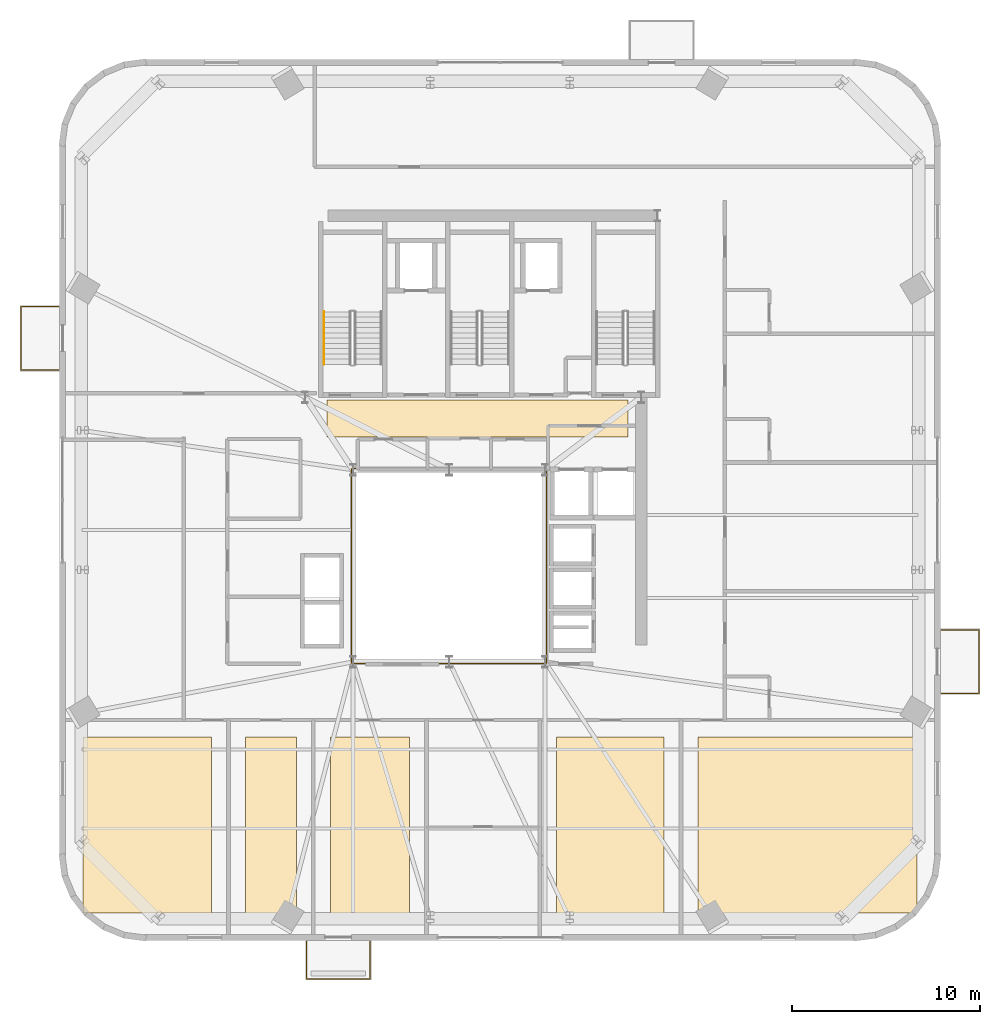
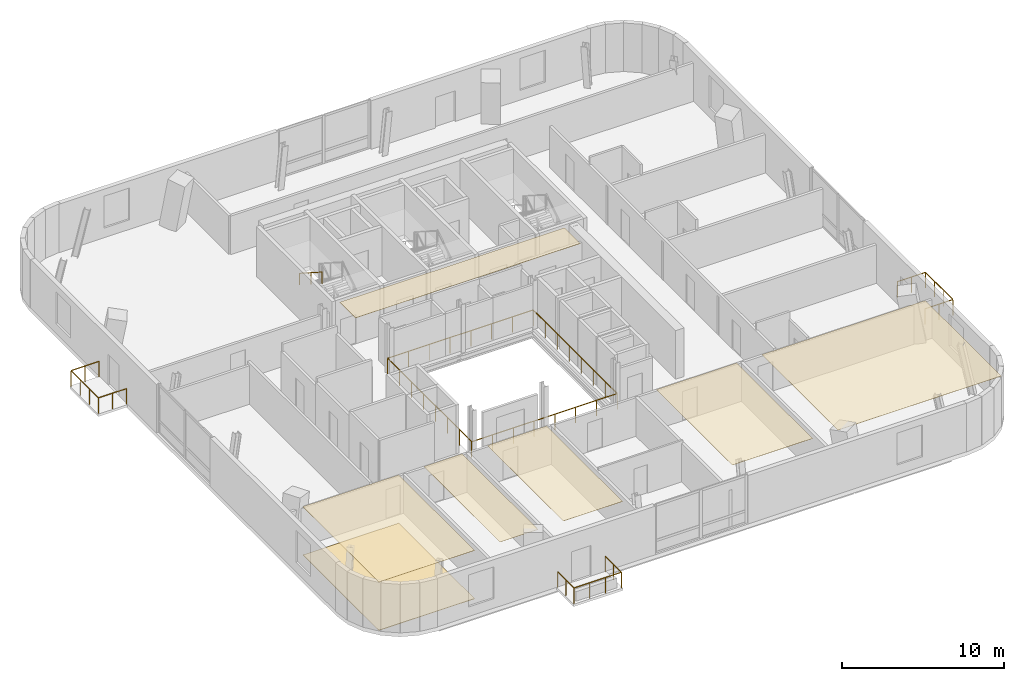
# One storey, part 11 of 12: 7 coverings, 5 railings.
"""IFC4 building model written with IfcOpenShell, lengths in metres."""

from ifc_helpers import new_model, si_unit, direction, frame, origin, origin_2d, place, context, subcontext, project, spatial, polyline, rectangle, outline, extrude, source, transform, mapped, material, layer, layer_set, type_object, element, save


model = new_model("IFC4")

# Units and contexts
model_context = context("Model", 3, precision=1e-05, world=origin(), true_north=direction((0.0, 1.0)))
body_context = subcontext(model_context, "Body", "Model", "MODEL_VIEW")
ifc_project = project(units=[si_unit("LENGTHUNIT", "METRE"), si_unit("AREAUNIT", "SQUARE_METRE"), si_unit("VOLUMEUNIT", "CUBIC_METRE"), si_unit("PLANEANGLEUNIT", "RADIAN"), si_unit("MASSUNIT", "GRAM", prefix="KILO")], contexts=[model_context])

# Site, building, storey
site_placement = place(None, origin())
site = spatial("IfcSite", under=ifc_project, at=site_placement, CompositionType="ELEMENT")
building_placement = place(site_placement, origin())
building = spatial("IfcBuilding", under=site, at=building_placement, Name="Vardaveli Station Tower", CompositionType="ELEMENT")
storey_placement = place(building_placement, frame((0.0, 0.0, 254.550048828125)))
storey = spatial("IfcBuildingStorey", under=building, at=storey_placement, Name="L65", CompositionType="ELEMENT", Elevation=254.550048828125)

# Coverings
ifc_material_1 = material(Name="Perforated acoustic mineral ceiling")
ifc_layer_1 = layer(ifc_material_1, 0.02001953125, Name="Perforated acoustic mineral ceiling")
ifc_layer_set_1 = layer_set([ifc_layer_1], Name="Perforated acoustic mineral ceiling")
covering_type_1 = type_object("IfcCoveringType", Name="COV-CEIL-AC20", PredefinedType="CEILING", material=ifc_layer_set_1)
covering_1_placement = place(storey_placement, frame((0.0, 0.0, 3.635009765625)))
element("IfcCovering", 1, at=covering_1_placement, inside=storey, type_object=covering_type_1, Name="CEIL-L65-1", PredefinedType="CEILING", context=body_context, shape_type="SweptSolid", body=[
    extrude(outline(polyline([(16.85009765625, 3.25), (23.669921875, 3.25), (23.669921875, 12.610107421875), (16.85009765625, 12.610107421875), (16.85009765625, 3.25)])), origin(), (0.0, 0.0, 1.0), 0.02001953125),
])
covering_2_placement = place(storey_placement, frame((0.0, 0.0, 3.635009765625)))
element("IfcCovering", 2, at=covering_2_placement, inside=storey, type_object=covering_type_1, Name="CEIL-L65-2", PredefinedType="CEILING", context=body_context, shape_type="SweptSolid", body=[
    extrude(outline(polyline([(25.469970703125, 3.25), (28.1826171875, 3.25), (28.1826171875, 12.610107421875), (25.469970703125, 12.610107421875), (25.469970703125, 3.25)])), origin(), (0.0, 0.0, 1.0), 0.02001953125),
])
covering_3_placement = place(storey_placement, frame((0.0, 0.0, 3.635009765625)))
element("IfcCovering", 3, at=covering_3_placement, inside=storey, type_object=covering_type_1, Name="CEIL-L65-3", PredefinedType="CEILING", context=body_context, shape_type="SweptSolid", body=[
    extrude(outline(polyline([(29.982421875, 3.25), (34.195068359375, 3.25), (34.195068359375, 12.610107421875), (29.982421875, 12.610107421875), (29.982421875, 3.25)])), origin(), (0.0, 0.0, 1.0), 0.02001953125),
])
covering_4_placement = place(storey_placement, frame((0.0, 0.0, 3.635009765625)))
element("IfcCovering", 4, at=covering_4_placement, inside=storey, type_object=covering_type_1, Name="CEIL-L65-4", PredefinedType="CEILING", context=body_context, shape_type="SweptSolid", body=[
    extrude(outline(polyline([(42.007568359375, 3.25), (47.719970703125, 3.25), (47.719970703125, 12.610107421875), (42.007568359375, 12.610107421875), (42.007568359375, 3.25)])), origin(), (0.0, 0.0, 1.0), 0.02001953125),
])
covering_5_placement = place(storey_placement, frame((0.0, 0.0, 3.635009765625)))
element("IfcCovering", 5, at=covering_5_placement, inside=storey, type_object=covering_type_1, Name="CEIL-L65-5", PredefinedType="CEILING", context=body_context, shape_type="SweptSolid", body=[
    extrude(outline(polyline([(49.52001953125, 3.25), (61.14990234375, 3.25), (61.14990234375, 12.610107421875), (49.52001953125, 12.610107421875), (49.52001953125, 3.25)])), origin(), (0.0, 0.0, 1.0), 0.02001953125),
])
covering_6_placement = place(storey_placement, frame((0.0, 0.0, 3.635009765625)))
element("IfcCovering", 6, at=covering_6_placement, inside=storey, type_object=covering_type_1, Name="CEIL-L65-6", PredefinedType="CEILING", context=body_context, shape_type="SweptSolid", body=[
    extrude(outline(polyline([(29.800048828125, 28.550048828125), (45.800048828125, 28.550048828125), (45.800048828125, 30.5), (29.800048828125, 30.5), (29.800048828125, 28.550048828125)])), origin(), (0.0, 0.0, 1.0), 0.02001953125),
])
ifc_material_2 = material(Name="Honed Caucasian basalt and travertine flooring", Category="masonry")
ifc_layer_2 = layer(ifc_material_2, 0.030029296875, Name="Honed Caucasian basalt and travertine flooring")
ifc_layer_set_2 = layer_set([ifc_layer_2], Name="Honed Caucasian basalt and travertine flooring")
covering_type_2 = type_object("IfcCoveringType", Name="COV-FLOOR-ST30", PredefinedType="FLOORING", material=ifc_layer_set_2)
covering_7_placement = place(storey_placement, origin())
element("IfcCovering", 7, at=covering_7_placement, inside=storey, type_object=covering_type_2, Name="FLR-L65-1", PredefinedType="FLOORING", context=body_context, shape_type="SweptSolid", body=[
    extrude(outline(polyline([(16.85009765625, 3.25), (23.669921875, 3.25), (23.669921875, 12.610107421875), (16.85009765625, 12.610107421875), (16.85009765625, 3.25)])), origin(), (0.0, 0.0, 1.0), 0.030029296875),
])

# Railings
ifc_material_3 = material(Name="Laminated glass and stainless steel balustrade", Category="steel")
railing_type_1 = type_object("IfcRailingType", Name="RL-BAL-1200", PredefinedType="BALUSTRADE", material=ifc_material_3)
shared_shape_1 = source(origin(), body_context, "Body", "SweptSolid", [
    extrude(rectangle(XDim=0.048095703125, YDim=0.048095703125, at=origin_2d()), frame((0.0, 0.0, 1.17578125), z_axis=(0.0, -1.0, 0.0), x_axis=(1.0, 0.0, 0.0)), (0.0, 0.0, 1.0), 2.0),
    extrude(rectangle(XDim=0.048095703125, YDim=0.048095703125, at=origin_2d()), frame((0.0, -2.0, 1.17578125), z_axis=(1.0, 0.0, 0.0), x_axis=(0.0, 1.0, 0.0)), (0.0, 0.0, 1.0), 3.3798828125),
    extrude(rectangle(XDim=0.048095703125, YDim=0.048095703125, at=origin_2d()), frame((3.3798828125, -2.0, 1.17578125), z_axis=(0.0, 1.0, 0.0), x_axis=(-1.0, 0.0, 0.0)), (0.0, 0.0, 1.0), 2.0),
    extrude(rectangle(XDim=0.0419921875, YDim=0.0419921875, at=origin_2d()), origin(), (0.0, 0.0, 1.0), 1.15185546875),
    extrude(rectangle(XDim=0.0419921875, YDim=0.0419921875, at=origin_2d()), frame((0.0, -1.0, 0.0)), (0.0, 0.0, 1.0), 1.15185546875),
    extrude(rectangle(XDim=0.0419921875, YDim=0.0419921875, at=origin_2d()), frame((0.0, -2.0, 0.0)), (0.0, 0.0, 1.0), 1.15185546875),
    extrude(rectangle(XDim=0.0419921875, YDim=0.0419921875, at=origin_2d()), frame((1.126708984375, -2.0, 0.0)), (0.0, 0.0, 1.0), 1.15185546875),
    extrude(rectangle(XDim=0.0419921875, YDim=0.0419921875, at=origin_2d()), frame((2.253173828125, -2.0, 0.0)), (0.0, 0.0, 1.0), 1.15185546875),
    extrude(rectangle(XDim=0.0419921875, YDim=0.0419921875, at=origin_2d()), frame((3.3798828125, -2.0, 0.0)), (0.0, 0.0, 1.0), 1.15185546875),
    extrude(rectangle(XDim=0.0419921875, YDim=0.0419921875, at=origin_2d()), frame((3.3798828125, -1.0, 0.0)), (0.0, 0.0, 1.0), 1.15185546875),
    extrude(rectangle(XDim=0.0419921875, YDim=0.0419921875, at=origin_2d()), frame((3.3798828125, 0.0, 0.0)), (0.0, 0.0, 1.0), 1.15185546875),
])
railing_1_placement = place(storey_placement, frame((28.720458984375, 1.760009765625, 0.0)))
element("IfcRailing", 8, at=railing_1_placement, inside=storey, type_object=railing_type_1, Name="RL-LOG-L65-01", PredefinedType="BALUSTRADE", context=body_context, shape_type="MappedRepresentation", body=[
    mapped(shared_shape_1, transform((0.0, 0.0, 0.0), scale=1.0)),
])
shared_shape_2 = source(origin(), body_context, "Body", "SweptSolid", [
    extrude(rectangle(XDim=0.048095703125, YDim=0.048095703125, at=origin_2d()), frame((0.0, 0.0, 1.17578125), z_axis=(1.0, 0.0, 0.0), x_axis=(0.0, 1.0, 0.0)), (0.0, 0.0, 1.0), 2.0),
    extrude(rectangle(XDim=0.048095703125, YDim=0.048095703125, at=origin_2d()), frame((2.0, 0.0, 1.17578125), z_axis=(0.0, 1.0, 0.0), x_axis=(-1.0, 0.0, 0.0)), (0.0, 0.0, 1.0), 3.3798828125),
    extrude(rectangle(XDim=0.048095703125, YDim=0.048095703125, at=origin_2d()), frame((2.0, 3.3798828125, 1.17578125), z_axis=(-1.0, 0.0, 0.0), x_axis=(0.0, -1.0, 0.0)), (0.0, 0.0, 1.0), 2.0),
    extrude(rectangle(XDim=0.0419921875, YDim=0.0419921875, at=origin_2d()), origin(), (0.0, 0.0, 1.0), 1.15185546875),
    extrude(rectangle(XDim=0.0419921875, YDim=0.0419921875, at=origin_2d()), frame((1.0, 0.0, 0.0)), (0.0, 0.0, 1.0), 1.15185546875),
    extrude(rectangle(XDim=0.0419921875, YDim=0.0419921875, at=origin_2d()), frame((2.0, 0.0, 0.0)), (0.0, 0.0, 1.0), 1.15185546875),
    extrude(rectangle(XDim=0.0419921875, YDim=0.0419921875, at=origin_2d()), frame((2.0, 1.126708984375, 0.0)), (0.0, 0.0, 1.0), 1.15185546875),
    extrude(rectangle(XDim=0.0419921875, YDim=0.0419921875, at=origin_2d()), frame((2.0, 2.253173828125, 0.0)), (0.0, 0.0, 1.0), 1.15185546875),
    extrude(rectangle(XDim=0.0419921875, YDim=0.0419921875, at=origin_2d()), frame((2.0, 3.3798828125, 0.0)), (0.0, 0.0, 1.0), 1.15185546875),
    extrude(rectangle(XDim=0.0419921875, YDim=0.0419921875, at=origin_2d()), frame((1.0, 3.3798828125, 0.0)), (0.0, 0.0, 1.0), 1.15185546875),
    extrude(rectangle(XDim=0.0419921875, YDim=0.0419921875, at=origin_2d()), frame((0.0, 3.3798828125, 0.0)), (0.0, 0.0, 1.0), 1.15185546875),
])
railing_2_placement = place(storey_placement, frame((62.43994140625, 14.92041015625, 0.0)))
element("IfcRailing", 9, at=railing_2_placement, inside=storey, type_object=railing_type_1, Name="RL-LOG-L65-04", PredefinedType="BALUSTRADE", context=body_context, shape_type="MappedRepresentation", body=[
    mapped(shared_shape_2, transform((0.0, 0.0, 0.0), scale=1.0)),
])
shared_shape_3 = source(origin(), body_context, "Body", "SweptSolid", [
    extrude(rectangle(XDim=0.048095703125, YDim=0.048095703125, at=origin_2d()), frame((0.0, 0.0, 1.17578125), z_axis=(-1.0, 0.0, 0.0), x_axis=(0.0, -1.0, 0.0)), (0.0, 0.0, 1.0), 2.0),
    extrude(rectangle(XDim=0.048095703125, YDim=0.048095703125, at=origin_2d()), frame((-2.0, 0.0, 1.17578125), z_axis=(0.0, 1.0, 0.0), x_axis=(-1.0, 0.0, 0.0)), (0.0, 0.0, 1.0), 3.3798828125),
    extrude(rectangle(XDim=0.048095703125, YDim=0.048095703125, at=origin_2d()), frame((-2.0, 3.3798828125, 1.17578125), z_axis=(1.0, 0.0, 0.0), x_axis=(0.0, 1.0, 0.0)), (0.0, 0.0, 1.0), 2.0),
    extrude(rectangle(XDim=0.0419921875, YDim=0.0419921875, at=origin_2d()), origin(), (0.0, 0.0, 1.0), 1.15185546875),
    extrude(rectangle(XDim=0.0419921875, YDim=0.0419921875, at=origin_2d()), frame((-1.0, 0.0, 0.0)), (0.0, 0.0, 1.0), 1.15185546875),
    extrude(rectangle(XDim=0.0419921875, YDim=0.0419921875, at=origin_2d()), frame((-2.0, 0.0, 0.0)), (0.0, 0.0, 1.0), 1.15185546875),
    extrude(rectangle(XDim=0.0419921875, YDim=0.0419921875, at=origin_2d()), frame((-2.0, 1.126708984375, 0.0)), (0.0, 0.0, 1.0), 1.15185546875),
    extrude(rectangle(XDim=0.0419921875, YDim=0.0419921875, at=origin_2d()), frame((-2.0, 2.253173828125, 0.0)), (0.0, 0.0, 1.0), 1.15185546875),
    extrude(rectangle(XDim=0.0419921875, YDim=0.0419921875, at=origin_2d()), frame((-2.0, 3.3798828125, 0.0)), (0.0, 0.0, 1.0), 1.15185546875),
    extrude(rectangle(XDim=0.0419921875, YDim=0.0419921875, at=origin_2d()), frame((-1.0, 3.3798828125, 0.0)), (0.0, 0.0, 1.0), 1.15185546875),
    extrude(rectangle(XDim=0.0419921875, YDim=0.0419921875, at=origin_2d()), frame((0.0, 3.3798828125, 0.0)), (0.0, 0.0, 1.0), 1.15185546875),
])
railing_3_placement = place(storey_placement, frame((15.56005859375, 32.099609375, 0.0)))
element("IfcRailing", 10, at=railing_3_placement, inside=storey, type_object=railing_type_1, Name="RL-LOG-L65-03", PredefinedType="BALUSTRADE", context=body_context, shape_type="MappedRepresentation", body=[
    mapped(shared_shape_3, transform((0.0, 0.0, 0.0), scale=1.0)),
])
ifc_material_4 = material(Name="Brushed AISI 316 stainless steel", Category="steel")
railing_type_2 = type_object("IfcRailingType", Name="RL-HAND-900", PredefinedType="HANDRAIL", material=ifc_material_4)
shared_shape_4 = source(origin(), body_context, "Body", "SweptSolid", [
    extrude(rectangle(XDim=0.048095703125, YDim=0.048095703125, at=origin_2d()), frame((0.0, 0.0, 0.8759765625), z_axis=(0.0, -0.841809871826, 0.539774156196), x_axis=(1.0, 0.0, 0.0)), (0.0, 0.0, 1.0), 3.326171875),
    extrude(rectangle(XDim=0.0419921875, YDim=0.0419921875, at=origin_2d()), origin(), (0.0, 0.0, 1.0), 0.851806640625),
    extrude(rectangle(XDim=0.0419921875, YDim=0.0419921875, at=origin_2d()), frame((0.0, -1.39990234375, 0.897705078125)), (0.0, 0.0, 1.0), 0.851806640625),
    extrude(rectangle(XDim=0.0419921875, YDim=0.0419921875, at=origin_2d()), frame((0.0, -2.800048828125, 1.79541015625)), (0.0, 0.0, 1.0), 0.851806640625),
])
railing_4_placement = place(storey_placement, frame((29.64990234375, 35.199951171875, 2.154541015625)))
element("IfcRailing", 11, at=railing_4_placement, inside=storey, type_object=railing_type_2, Name="L65 ST-1 stair handrail 2", PredefinedType="HANDRAIL", context=body_context, shape_type="MappedRepresentation", body=[
    mapped(shared_shape_4, transform((0.0, 0.0, 0.0), scale=1.0)),
])
shared_shape_5 = source(origin(), body_context, "Body", "SweptSolid", [
    extrude(rectangle(XDim=0.048095703125, YDim=0.048095703125, at=origin_2d()), frame((0.0, 0.0, 1.17578125), z_axis=(1.0, 0.0, 0.0), x_axis=(0.0, 1.0, 0.0)), (0.0, 0.0, 1.0), 10.35986328125),
    extrude(rectangle(XDim=0.048095703125, YDim=0.048095703125, at=origin_2d()), frame((10.35986328125, 0.0, 1.17578125), z_axis=(0.0, 1.0, 0.0), x_axis=(-1.0, 0.0, 0.0)), (0.0, 0.0, 1.0), 10.35986328125),
    extrude(rectangle(XDim=0.048095703125, YDim=0.048095703125, at=origin_2d()), frame((10.35986328125, 10.35986328125, 1.17578125), z_axis=(-1.0, 0.0, 0.0), x_axis=(0.0, -1.0, 0.0)), (0.0, 0.0, 1.0), 10.35986328125),
    extrude(rectangle(XDim=0.048095703125, YDim=0.048095703125, at=origin_2d()), frame((0.0, 10.35986328125, 1.17578125), z_axis=(0.0, -1.0, 0.0), x_axis=(1.0, 0.0, 0.0)), (0.0, 0.0, 1.0), 10.35986328125),
    extrude(rectangle(XDim=0.0419921875, YDim=0.0419921875, at=origin_2d()), origin(), (0.0, 0.0, 1.0), 1.15185546875),
    extrude(rectangle(XDim=0.0419921875, YDim=0.0419921875, at=origin_2d()), frame((1.47998046875, 0.0, 0.0)), (0.0, 0.0, 1.0), 1.15185546875),
    extrude(rectangle(XDim=0.0419921875, YDim=0.0419921875, at=origin_2d()), frame((2.9599609375, 0.0, 0.0)), (0.0, 0.0, 1.0), 1.15185546875),
    extrude(rectangle(XDim=0.0419921875, YDim=0.0419921875, at=origin_2d()), frame((4.43994140625, 0.0, 0.0)), (0.0, 0.0, 1.0), 1.15185546875),
    extrude(rectangle(XDim=0.0419921875, YDim=0.0419921875, at=origin_2d()), frame((5.919921875, 0.0, 0.0)), (0.0, 0.0, 1.0), 1.15185546875),
    extrude(rectangle(XDim=0.0419921875, YDim=0.0419921875, at=origin_2d()), frame((7.39990234375, 0.0, 0.0)), (0.0, 0.0, 1.0), 1.15185546875),
    extrude(rectangle(XDim=0.0419921875, YDim=0.0419921875, at=origin_2d()), frame((8.8798828125, 0.0, 0.0)), (0.0, 0.0, 1.0), 1.15185546875),
    extrude(rectangle(XDim=0.0419921875, YDim=0.0419921875, at=origin_2d()), frame((10.35986328125, 0.0, 0.0)), (0.0, 0.0, 1.0), 1.15185546875),
    extrude(rectangle(XDim=0.0419921875, YDim=0.0419921875, at=origin_2d()), frame((10.35986328125, 1.47998046875, 0.0)), (0.0, 0.0, 1.0), 1.15185546875),
    extrude(rectangle(XDim=0.0419921875, YDim=0.0419921875, at=origin_2d()), frame((10.35986328125, 2.9599609375, 0.0)), (0.0, 0.0, 1.0), 1.15185546875),
    extrude(rectangle(XDim=0.0419921875, YDim=0.0419921875, at=origin_2d()), frame((10.35986328125, 4.43994140625, 0.0)), (0.0, 0.0, 1.0), 1.15185546875),
    extrude(rectangle(XDim=0.0419921875, YDim=0.0419921875, at=origin_2d()), frame((10.35986328125, 5.919921875, 0.0)), (0.0, 0.0, 1.0), 1.15185546875),
    extrude(rectangle(XDim=0.0419921875, YDim=0.0419921875, at=origin_2d()), frame((10.35986328125, 7.39990234375, 0.0)), (0.0, 0.0, 1.0), 1.15185546875),
    extrude(rectangle(XDim=0.0419921875, YDim=0.0419921875, at=origin_2d()), frame((10.35986328125, 8.8798828125, 0.0)), (0.0, 0.0, 1.0), 1.15185546875),
    extrude(rectangle(XDim=0.0419921875, YDim=0.0419921875, at=origin_2d()), frame((10.35986328125, 10.35986328125, 0.0)), (0.0, 0.0, 1.0), 1.15185546875),
    extrude(rectangle(XDim=0.0419921875, YDim=0.0419921875, at=origin_2d()), frame((8.8798828125, 10.35986328125, 0.0)), (0.0, 0.0, 1.0), 1.15185546875),
    extrude(rectangle(XDim=0.0419921875, YDim=0.0419921875, at=origin_2d()), frame((7.39990234375, 10.35986328125, 0.0)), (0.0, 0.0, 1.0), 1.15185546875),
    extrude(rectangle(XDim=0.0419921875, YDim=0.0419921875, at=origin_2d()), frame((5.919921875, 10.35986328125, 0.0)), (0.0, 0.0, 1.0), 1.15185546875),
    extrude(rectangle(XDim=0.0419921875, YDim=0.0419921875, at=origin_2d()), frame((4.43994140625, 10.35986328125, 0.0)), (0.0, 0.0, 1.0), 1.15185546875),
    extrude(rectangle(XDim=0.0419921875, YDim=0.0419921875, at=origin_2d()), frame((2.9599609375, 10.35986328125, 0.0)), (0.0, 0.0, 1.0), 1.15185546875),
    extrude(rectangle(XDim=0.0419921875, YDim=0.0419921875, at=origin_2d()), frame((1.47998046875, 10.35986328125, 0.0)), (0.0, 0.0, 1.0), 1.15185546875),
    extrude(rectangle(XDim=0.0419921875, YDim=0.0419921875, at=origin_2d()), frame((0.0, 10.35986328125, 0.0)), (0.0, 0.0, 1.0), 1.15185546875),
    extrude(rectangle(XDim=0.0419921875, YDim=0.0419921875, at=origin_2d()), frame((0.0, 8.8798828125, 0.0)), (0.0, 0.0, 1.0), 1.15185546875),
    extrude(rectangle(XDim=0.0419921875, YDim=0.0419921875, at=origin_2d()), frame((0.0, 7.39990234375, 0.0)), (0.0, 0.0, 1.0), 1.15185546875),
    extrude(rectangle(XDim=0.0419921875, YDim=0.0419921875, at=origin_2d()), frame((0.0, 5.919921875, 0.0)), (0.0, 0.0, 1.0), 1.15185546875),
    extrude(rectangle(XDim=0.0419921875, YDim=0.0419921875, at=origin_2d()), frame((0.0, 4.43994140625, 0.0)), (0.0, 0.0, 1.0), 1.15185546875),
    extrude(rectangle(XDim=0.0419921875, YDim=0.0419921875, at=origin_2d()), frame((0.0, 2.9599609375, 0.0)), (0.0, 0.0, 1.0), 1.15185546875),
    extrude(rectangle(XDim=0.0419921875, YDim=0.0419921875, at=origin_2d()), frame((0.0, 1.47998046875, 0.0)), (0.0, 0.0, 1.0), 1.15185546875),
])
railing_5_placement = place(storey_placement, frame((31.1201171875, 16.52001953125, 0.0)))
element("IfcRailing", 12, at=railing_5_placement, inside=storey, type_object=railing_type_1, Name="RL-ATR-L65", PredefinedType="BALUSTRADE", context=body_context, shape_type="MappedRepresentation", body=[
    mapped(shared_shape_5, transform((0.0, 0.0, 0.0), scale=1.0)),
])

save(model, "model.ifc")
